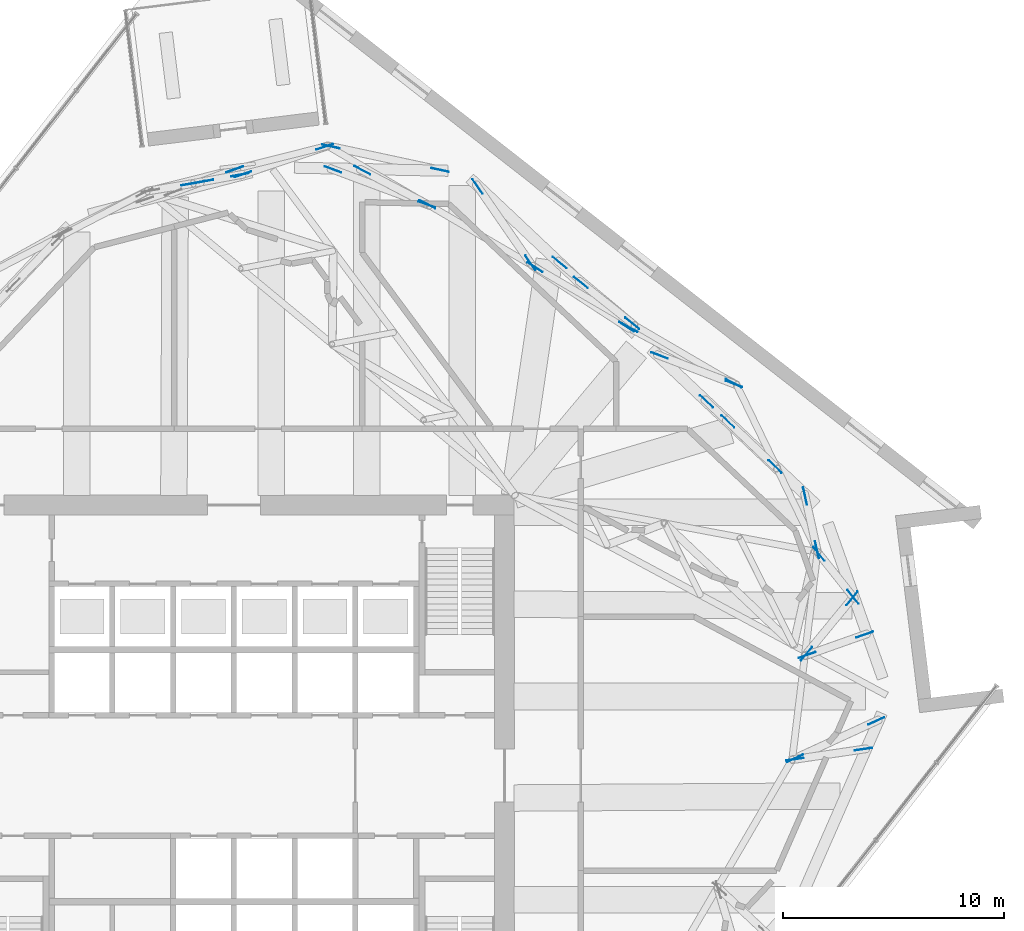
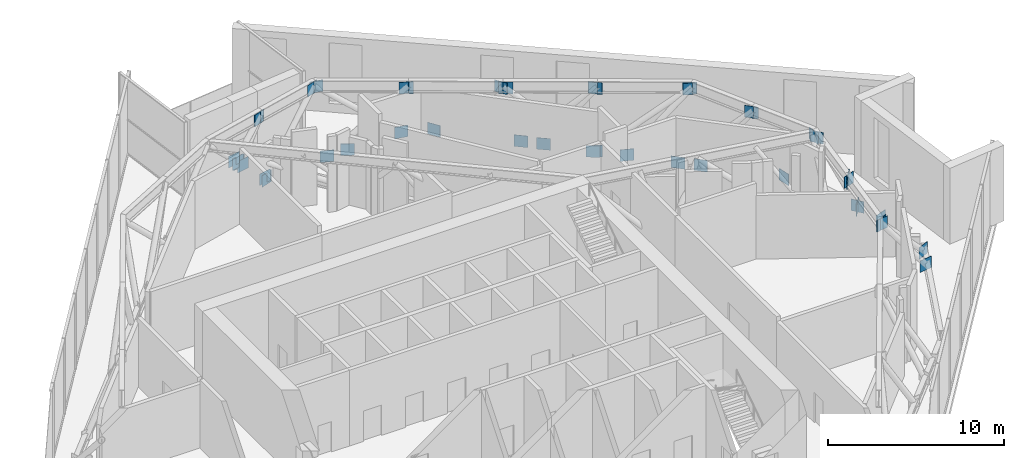
# One storey, part 20 of 23: 43 discrete accessories.
"""IFC4 building model written with IfcOpenShell, lengths in metres."""

from ifc_helpers import new_model, si_unit, direction, frame, origin, origin_2d, place, context, subcontext, project, spatial, rectangle, extrude, material, layer, layer_set, type_object, element, save


model = new_model("IFC4")

# Units and contexts
model_context = context("Model", 3, precision=1e-05, world=origin(), true_north=direction((0.0, 1.0)))
body_context = subcontext(model_context, "Body", "Model", "MODEL_VIEW")
ifc_project = project(units=[si_unit("LENGTHUNIT", "METRE"), si_unit("AREAUNIT", "SQUARE_METRE"), si_unit("VOLUMEUNIT", "CUBIC_METRE"), si_unit("PLANEANGLEUNIT", "RADIAN"), si_unit("MASSUNIT", "GRAM", prefix="KILO")], contexts=[model_context])

# Site, building, storey
site_placement = place(None, origin())
site = spatial("IfcSite", under=ifc_project, at=site_placement, CompositionType="ELEMENT")
building_placement = place(site_placement, origin())
building = spatial("IfcBuilding", under=site, at=building_placement, Name="Dilmun Exchange Tower", CompositionType="ELEMENT")
storey_placement = place(building_placement, frame((0.0, 0.0, 237.300048828125)))
storey = spatial("IfcBuildingStorey", under=building, at=storey_placement, Name="L56", CompositionType="ELEMENT", Elevation=237.300048828125)

# Discrete accessories
ifc_material = material(Name="Steel S355J2", Category="steel")
ifc_layer = layer(ifc_material, 0.02490234375)
ifc_layer_set = layer_set([ifc_layer], Name="Steel S355J2")
discrete_accessory_type = type_object("IfcDiscreteAccessoryType", Name="Gusset plate 25 x 800 x 800", PredefinedType="BRACKET", material=ifc_layer_set)
for number, where, z_axis, x_axis, name in (
    (1, (-1.976318359375, 26.783447265625, 2.5009765625), (0.0, 0.0, 1.0), (0.986114252309, 0.166068303395, 0.0), "Gusset plate L56-DG02 end 2"),
    (2, (-1.6953125, 26.8330078125, 2.22021484375), (0.0, 0.0, 1.0), (0.983550039443, 0.180635876591, 0.0), "Gusset plate L56-DG02B end 1"),
    (3, (-1.614501953125, 26.847900390625, 2.1396484375), (0.0, 0.0, 1.0), (0.983550039443, 0.180635876591, 0.0), "Gusset plate L56-DG02B end 2"),
    (4, (-1.334228515625, 26.899169921875, 1.85888671875), (0.0, 0.0, 1.0), (0.983645428437, 0.180115715904, 0.0), "Gusset plate L56-DG02C end 1"),
    (5, (0.277587890625, 27.1943359375, 0.24462890625), (0.0, 0.0, 1.0), (0.983645428437, 0.180115715904, 0.0), "Gusset plate L56-DG02C end 2"),
    (6, (25.394287109375, 0.780029296875, 4.2890625), (0.0, 0.0, 1.0), (0.908579637168, 0.417711674391, 0.0), "Gusset plate L56-DG45 end 1"),
    (7, (29.0712890625, 2.470703125, 0.09375), (0.0, 0.0, 1.0), (0.908579637168, 0.417711674391, 0.0), "Gusset plate L56-DG45 end 2"),
    (8, (25.387451171875, 0.739501953125, 4.2734375), (0.0, 0.0, 1.0), (0.989274627508, 0.146067489091, 0.0), "Gusset plate L56-DG46 end 1"),
    (9, (28.50390625, 1.19970703125, 0.109375), (0.0, 0.0, 1.0), (0.989274627508, 0.146067489091, 0.0), "Gusset plate L56-DG46 end 2"),
    (10, (25.946044921875, 5.458984375, 4.2666015625), (0.0, 0.0, 1.0), (0.942767848306, 0.333449822612, 0.0), "Gusset plate L56-DG47 end 1"),
    (11, (28.551513671875, 6.380615234375, 0.1162109375), (0.0, 0.0, 1.0), (0.942767848306, 0.333449822612, 0.0), "Gusset plate L56-DG47 end 2"),
    (12, (25.91943359375, 5.516845703125, 4.27490234375), (0.0, 0.0, 1.0), (0.635202430824, 0.77234569454, 0.0), "Gusset plate L56-DG48 end 1"),
    (13, (27.977783203125, 8.019775390625, 0.10791015625), (0.0, 0.0, 1.0), (0.635202430824, 0.77234569454, 0.0), "Gusset plate L56-DG48 end 2"),
    (14, (26.392578125, 10.22265625, 4.26171875), (0.0, 0.0, 1.0), (-0.21597270472, 0.976399401278, 0.0), "Gusset plate L56-DG49 end 1"),
    (15, (25.85498046875, 12.653564453125, 0.12109375), (0.0, 0.0, 1.0), (-0.21597270472, 0.976399401278, 0.0), "Gusset plate L56-DG49 end 2"),
    (16, (26.47900390625, 10.041259765625, 4.26171875), (0.0, 0.0, 1.0), (0.622087014282, -0.782948112369, 0.0), "Gusset plate L56-DG50 end 1"),
    (17, (28.028564453125, 8.09130859375, 0.12109375), (0.0, 0.0, 1.0), (0.622087014282, -0.782948112369, 0.0), "Gusset plate L56-DG50 end 2"),
    (18, (24.50244140625, 13.982177734375, 4.27001953125), (0.0, 0.0, 1.0), (-0.723490263153, 0.69033458491, 0.0), "Gusset plate L56-DG51 end 1"),
    (19, (22.35546875, 16.031005859375, 0.11279296875), (0.0, 0.0, 1.0), (-0.723490263153, 0.69033458491, 0.0), "Gusset plate L56-DG51 end 2"),
    (20, (24.483154296875, 14.000244140625, 4.29248046875), (0.0, 0.0, 1.0), (-0.724738518488, 0.689024005257, 0.0), "Gusset plate L56-DG52 end 1"),
    (21, (21.39208984375, 16.93896484375, 0.09033203125), (0.0, 0.0, 1.0), (-0.724738518488, 0.689024005257, 0.0), "Gusset plate L56-DG52 end 2"),
    (22, (22.6357421875, 17.728515625, 4.28173828125), (0.0, 0.0, 1.0), (-0.934217548824, 0.356703758698, 0.0), "Gusset plate L56-DG53 end 1"),
    (23, (19.2607421875, 19.017333984375, 0.10107421875), (0.0, 0.0, 1.0), (-0.934217548824, 0.356703758698, 0.0), "Gusset plate L56-DG53 end 2"),
    (24, (22.619873046875, 17.755859375, 4.30859375), (0.0, 0.0, 1.0), (-0.881769011013, 0.4716814722, 0.0), "Gusset plate L56-DG54 end 1"),
    (25, (17.9169921875, 20.271484375, 0.07421875), (0.0, 0.0, 1.0), (-0.881769011013, 0.4716814722, 0.0), "Gusset plate L56-DG54 end 2"),
    (26, (18.037353515625, 20.46044921875, 4.2705078125), (0.0, 0.0, 1.0), (-0.782920967957, 0.622121176246, 0.0), "Gusset plate L56-DG55 end 1"),
    (27, (15.705322265625, 22.3134765625, 0.1123046875), (0.0, 0.0, 1.0), (-0.782920967957, 0.622121176246, 0.0), "Gusset plate L56-DG55 end 2"),
    (28, (18.01904296875, 20.4794921875, 4.29296875), (0.0, 0.0, 1.0), (-0.767133803757, 0.641487121565, 0.0), "Gusset plate L56-DG56 end 1"),
    (29, (14.7412109375, 23.220458984375, 0.09033203125), (0.0, 0.0, 1.0), (-0.767133803757, 0.641487121565, 0.0), "Gusset plate L56-DG56 end 2"),
    (30, (13.418701171875, 23.210205078125, 4.29150390625), (0.0, 0.0, 1.0), (-0.568449854738, 0.822717911953, 0.0), "Gusset plate L56-DG57 end 1"),
    (31, (11.031982421875, 26.664794921875, 0.09130859375), (0.0, 0.0, 1.0), (-0.568449854738, 0.822717911953, 0.0), "Gusset plate L56-DG57 end 2"),
    (32, (13.62646484375, 23.010986328125, 4.30322265625), (0.0, 0.0, 1.0), (0.838236840436, -0.545306335316, 0.0), "Gusset plate L56-DG58 end 1"),
    (33, (17.77392578125, 20.31298828125, 0.07958984375), (0.0, 0.0, 1.0), (0.838236840436, -0.545306335316, 0.0), "Gusset plate L56-DG58 end 2"),
    (34, (8.759033203125, 25.85791015625, 4.2763671875), (0.0, 0.0, 1.0), (-0.886045850106, 0.463597618103, 0.0), "Gusset plate L56-DG59 end 1"),
    (35, (5.812744140625, 27.3994140625, 0.1064453125), (0.0, 0.0, 1.0), (-0.886045850106, 0.463597618103, 0.0), "Gusset plate L56-DG59 end 2"),
    (36, (8.732421875, 25.851318359375, 4.296875), (0.0, 0.0, 1.0), (-0.936980495111, 0.349381670644, 0.0), "Gusset plate L56-DG60 end 1"),
    (37, (4.48974609375, 27.43310546875, 0.0859375), (0.0, 0.0, 1.0), (-0.936980495111, 0.349381670644, 0.0), "Gusset plate L56-DG60 end 2"),
    (38, (4.11083984375, 28.46240234375, 4.28662109375), (0.0, 0.0, 1.0), (-0.947791231833, -0.318891487596, 0.0), "Gusset plate L56-DG61 end 1"),
    (39, (0.41064453125, 27.217529296875, 0.09619140625), (0.0, 0.0, 1.0), (-0.947791231833, -0.318891487596, 0.0), "Gusset plate L56-DG61 end 2"),
    (40, (4.389892578125, 28.473876953125, 4.3046875), (0.0, 0.0, 1.0), (0.977750664009, -0.209770443652, 0.0), "Gusset plate L56-DG62 end 1"),
    (41, (9.333251953125, 27.413330078125, 0.078125), (0.0, 0.0, 1.0), (0.977750664009, -0.209770443652, 0.0), "Gusset plate L56-DG62 end 2"),
    (42, (0.05322265625, 27.44091796875, 4.2705078125), (0.0, 0.0, 1.0), (-0.937426093702, -0.348184317348, 0.0), "Gusset plate L56-DG63 end 1"),
    (43, (0.02734375, 27.435791015625, 4.29296875), (0.0, 0.0, 1.0), (-0.947488588385, -0.319789579068, 0.0), "Gusset plate L56-DG64 end 1"),
):
    element("IfcDiscreteAccessory", number, at=place(storey_placement, frame(where, z_axis=z_axis, x_axis=x_axis)), inside=storey, type_object=discrete_accessory_type, Name=name, PredefinedType="BRACKET", context=body_context, shape_type="SweptSolid", body=[
        extrude(rectangle(XDim=0.800048828125, YDim=0.02490234375, at=origin_2d()), origin(), (0.0, 0.0, 1.0), 0.800048828125),
    ])

save(model, "model.ifc")
